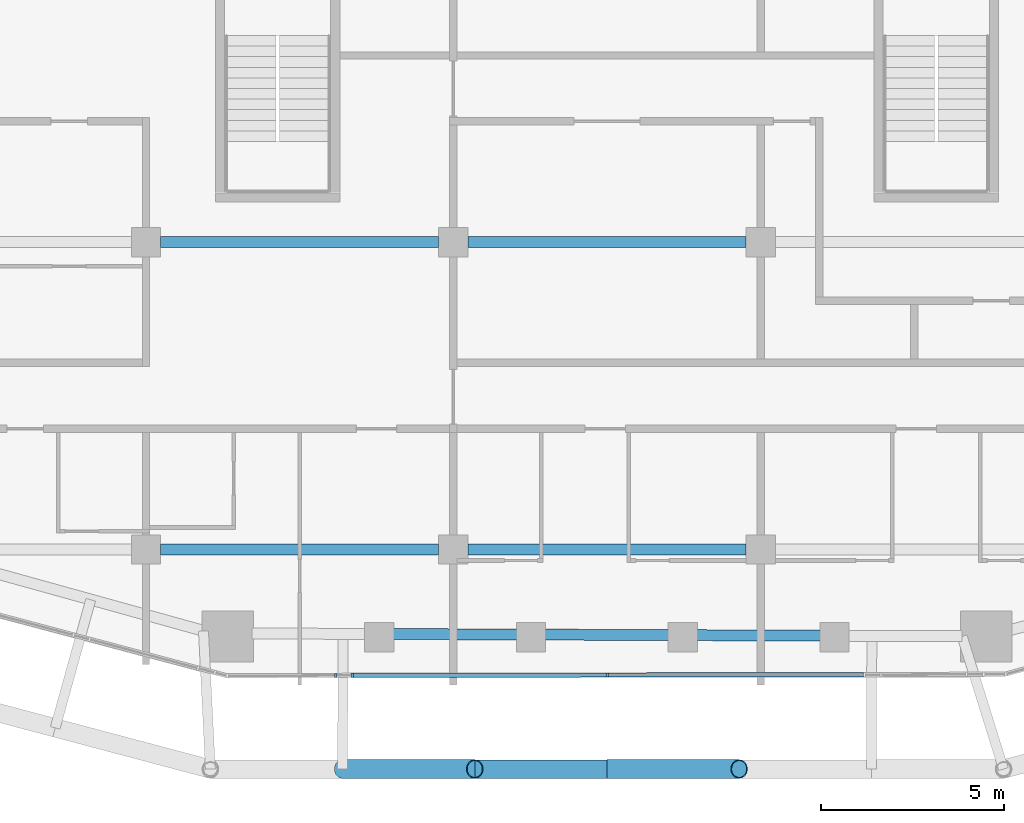
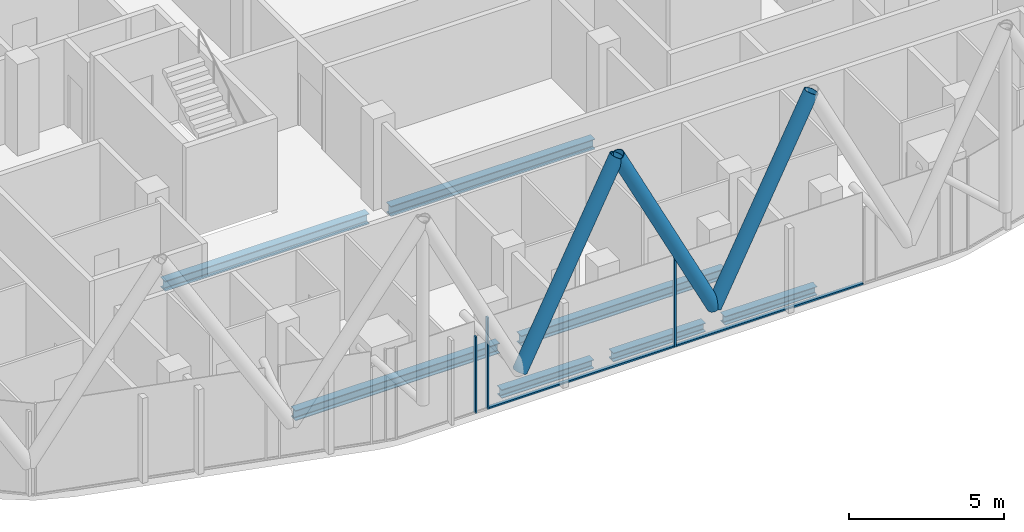
# One storey, part 3 of 31: 8 members, 7 beams, 2 elements without a shape of their own.
"""IFC4 building model written with IfcOpenShell, lengths in metres."""

import ifcopenshell
import ifcopenshell.guid

model = None  # the IFC model being written
_history = None  # IfcOwnerHistory: only IFC2X3 demands one
_inside = {}  # id of a spatial element -> (the spatial element, [elements in it])
_under = {}  # id of a project, library or spatial element -> (it, [spatial elements below it])
_declared = {}  # id of a project -> (the project, [libraries it declares])
_typed = {}  # id of a type object -> (the type object, [elements of that type])
_made_of = {}  # id of a material, layer set ... -> (it, [elements and type objects made of it])


def new_model(schema):
    """Start an empty IFC model of exactly this schema.

    Asked for "IFC4X3", IfcOpenShell would pick the latest addendum, in which some entities
    have other attributes; the version numbers below select the first issue.
    IFC2X3 requires an IfcOwnerHistory on every rooted entity: one is made here for all.
    """
    global model, _history
    if schema == "IFC4X3":
        model = ifcopenshell.file(schema_version=(4, 3, 0, 0))
    else:
        model = ifcopenshell.file(schema=schema)
    _inside.clear()
    _under.clear()
    _declared.clear()
    _typed.clear()
    _made_of.clear()
    _history = None
    if model.schema == "IFC2X3":
        org = make("IfcOrganization", Name="unknown")
        user = make(
            "IfcPersonAndOrganization",
            ThePerson=make("IfcPerson", FamilyName="unknown"),
            TheOrganization=org,
        )
        app = make(
            "IfcApplication",
            ApplicationDeveloper=org,
            Version="unknown",
            ApplicationFullName="unknown",
            ApplicationIdentifier="unknown",
        )
        _history = make(
            "IfcOwnerHistory",
            OwningUser=user,
            OwningApplication=app,
            ChangeAction="ADDED",
            CreationDate=0,
        )
    return model


def make(cls, **values):
    """One entity of the class cls with the attributes given. An attribute that is None is left unset."""
    return model.create_entity(
        cls, **{name: value for name, value in values.items() if value is not None}
    )


def rooted(cls, **values):
    """An entity with a GlobalId (a new one), such as an element, a storey or a relation."""
    return make(cls, GlobalId=ifcopenshell.guid.new(), OwnerHistory=_history, **values)


def si_unit(unit_type, name, prefix=None):
    """IfcSIUnit, for example si_unit("LENGTHUNIT", "METRE", prefix="MILLI")."""
    return make("IfcSIUnit", UnitType=unit_type, Prefix=prefix, Name=name)


def assignment(units):
    """IfcUnitAssignment: the units of a project."""
    return None if units is None else make("IfcUnitAssignment", Units=units)


def point(xyz):
    """IfcCartesianPoint."""
    return None if xyz is None else make("IfcCartesianPoint", Coordinates=xyz)


def direction(xyz):
    """IfcDirection."""
    return None if xyz is None else make("IfcDirection", DirectionRatios=xyz)


def frame(location, z_axis=None, x_axis=None):
    """IfcAxis2Placement3D, a coordinate frame: its origin and axes. An axis left out is left unset."""
    return make(
        "IfcAxis2Placement3D",
        Location=point(location),
        Axis=direction(z_axis),
        RefDirection=direction(x_axis),
    )


def frame_2d(location, x_axis=None):
    """IfcAxis2Placement2D, a coordinate frame in the plane: its origin and x axis."""
    return make(
        "IfcAxis2Placement2D", Location=point(location), RefDirection=direction(x_axis)
    )


def origin():
    """The frame at (0, 0, 0) with its axes left unset."""
    return frame((0.0, 0.0, 0.0))


def origin_2d():
    """The frame at (0, 0) in the plane with its x axis left unset."""
    return frame_2d((0.0, 0.0))


def place(relative_to, where):
    """IfcLocalPlacement: puts the frame where relative to a parent placement (None: the world)."""
    return make(
        "IfcLocalPlacement", PlacementRelTo=relative_to, RelativePlacement=where
    )


def context(
    kind, dimensions, precision=None, world=None, true_north=None, identifier=None
):
    """IfcGeometricRepresentationContext, for example the 3D "Model" context."""
    return make(
        "IfcGeometricRepresentationContext",
        ContextIdentifier=identifier,
        ContextType=kind,
        CoordinateSpaceDimension=dimensions,
        Precision=precision,
        WorldCoordinateSystem=world,
        TrueNorth=true_north,
    )


def subcontext(parent, identifier, kind, view, scale=None):
    """IfcGeometricRepresentationSubContext, for example "Body" below "Model"."""
    return make(
        "IfcGeometricRepresentationSubContext",
        ContextIdentifier=identifier,
        ContextType=kind,
        ParentContext=parent,
        TargetScale=scale,
        TargetView=view,
    )


def project(units=None, contexts=None):
    """IfcProject with its units and contexts."""
    return rooted(
        "IfcProject",
        Name="project",
        RepresentationContexts=contexts,
        UnitsInContext=assignment(units),
    )


def spatial(cls, under=None, at=None, **own):
    """A site, building, storey or space (cls), placed at a placement, below another one or the project."""
    s = rooted(cls, ObjectPlacement=at, **own)
    if under is not None:
        _under.setdefault(under.id(), (under, []))[1].append(s)
    return s


def profile(cls, at=None, kind="AREA", **sizes):
    """A parametric profile (cls). Its sizes go by their IFC names, for example OverallWidth=200.0."""
    return make(cls, ProfileType=kind, Position=at, **sizes)


def rectangle(**sizes):
    """IfcRectangleProfileDef."""
    return profile("IfcRectangleProfileDef", **sizes)


def hollow_circle(**sizes):
    """IfcCircleHollowProfileDef."""
    return profile("IfcCircleHollowProfileDef", **sizes)


def i_section(**sizes):
    """IfcIShapeProfileDef."""
    return profile("IfcIShapeProfileDef", **sizes)


def extrude(swept, where, along, depth):
    """IfcExtrudedAreaSolid: the profile swept, set in the frame where, extruded along a direction by depth."""
    return make(
        "IfcExtrudedAreaSolid",
        SweptArea=swept,
        Position=where,
        ExtrudedDirection=direction(along),
        Depth=depth,
    )


def shape(context_of_items, identifier, shape_type, items):
    """IfcShapeRepresentation: the items that make up one representation, for example the "Body"."""
    return make(
        "IfcShapeRepresentation",
        ContextOfItems=context_of_items,
        RepresentationIdentifier=identifier,
        RepresentationType=shape_type,
        Items=items,
    )


def material(Name=None, Category=None):
    """IfcMaterial."""
    return make("IfcMaterial", Name=Name, Category=Category)


def layer(
    of_material, thickness, ventilated=None, Name=None, Category=None, Priority=None
):
    """IfcMaterialLayer: one layer of a wall or slab, of a material (None: an air gap)."""
    return make(
        "IfcMaterialLayer",
        Material=of_material,
        LayerThickness=thickness,
        IsVentilated=ventilated,
        Name=Name,
        Category=Category,
        Priority=Priority,
    )


def layer_set(layers, Name=None):
    """IfcMaterialLayerSet."""
    return make("IfcMaterialLayerSet", MaterialLayers=layers, LayerSetName=Name)


def material_profile(
    of_material, cross_section, Name=None, Category=None, Priority=None
):
    """IfcMaterialProfile: a cross section and its material."""
    return make(
        "IfcMaterialProfile",
        Name=Name,
        Material=of_material,
        Profile=cross_section,
        Priority=Priority,
        Category=Category,
    )


def profile_set(profiles, Name=None, composite=None):
    """IfcMaterialProfileSet."""
    return make(
        "IfcMaterialProfileSet",
        Name=Name,
        MaterialProfiles=profiles,
        CompositeProfile=composite,
    )


def made_of(thing, what):
    """Note that an element or type object is made of a material, layer set ...; save() writes the relation."""
    if what is not None:
        _made_of.setdefault(what.id(), (what, []))[1].append(thing)
    return thing


def type_object(cls, material=None, **own):
    """A type object (cls), such as IfcWallType, which elements share."""
    return made_of(rooted(cls, **own), material)


def element(
    cls,
    number,
    at=None,
    inside=None,
    cuts=None,
    type_object=None,
    material=None,
    context=None,
    identifier="Body",
    shape_type=None,
    held_by="IfcProductDefinitionShape",
    body=None,
    shapes=None,
    **own,
):
    """One element of the class cls, such as IfcWall. Its Tag is "e" and its number.

    at: its placement. inside: the storey or other place that contains it. cuts: it is an
    opening in that element (IfcRelVoidsElement). A single representation is given by context,
    identifier, shape_type and body (its items); several are given by shapes. held_by: the class
    of the entity that holds the representations. save() writes the other relations.
    """
    e = rooted(cls, Tag="e%d" % number, ObjectPlacement=at, **own)
    if body is not None:
        shapes = [shape(context, identifier, shape_type, body)]
    if shapes is not None:
        e.Representation = make(held_by, Representations=shapes)
    if inside is not None:
        _inside.setdefault(inside.id(), (inside, []))[1].append(e)
    if cuts is not None:
        rooted(
            "IfcRelVoidsElement", RelatingBuildingElement=cuts, RelatedOpeningElement=e
        )
    if type_object is not None:
        _typed.setdefault(type_object.id(), (type_object, []))[1].append(e)
    return made_of(e, material)


def aggregate(whole, parts):
    """IfcRelAggregates: a whole, such as a stair, and the parts it consists of."""
    return rooted("IfcRelAggregates", RelatingObject=whole, RelatedObjects=parts)


def save(model, path):
    """Write the relations noted so far, then the file.

    IfcRelAggregates (storeys below a building ...), IfcRelContainedInSpatialStructure (elements
    in a storey), IfcRelDefinesByType, IfcRelAssociatesMaterial and IfcRelDeclares: one each for
    every whole, place, type object, material and project.
    """
    for whole, parts in _under.values():
        aggregate(whole, parts)
    for where, things in _inside.values():
        rooted(
            "IfcRelContainedInSpatialStructure",
            RelatedElements=things,
            RelatingStructure=where,
        )
    for kind, things in _typed.values():
        rooted("IfcRelDefinesByType", RelatedObjects=things, RelatingType=kind)
    for what, things in _made_of.values():
        rooted("IfcRelAssociatesMaterial", RelatedObjects=things, RelatingMaterial=what)
    for by, libraries in _declared.values():
        rooted("IfcRelDeclares", RelatingContext=by, RelatedDefinitions=libraries)
    model.write(path)


model = new_model("IFC4")

# Units and contexts
model_context = context("Model", 3, precision=1e-05, world=origin(), true_north=direction((0.0, 1.0)))
body_context = subcontext(model_context, "Body", "Model", "MODEL_VIEW")
ifc_project = project(units=[si_unit("LENGTHUNIT", "METRE"), si_unit("AREAUNIT", "SQUARE_METRE"), si_unit("VOLUMEUNIT", "CUBIC_METRE"), si_unit("PLANEANGLEUNIT", "RADIAN"), si_unit("MASSUNIT", "GRAM", prefix="KILO")], contexts=[model_context])

# Site, building, storey
site_placement = place(None, origin())
site = spatial("IfcSite", under=ifc_project, at=site_placement, CompositionType="ELEMENT")
building_placement = place(site_placement, origin())
building = spatial("IfcBuilding", under=site, at=building_placement, Name="Marenta Gate Hotel Tower", CompositionType="ELEMENT")
storey_placement = place(building_placement, frame((0.0, 0.0, 205.699951171875)))
storey = spatial("IfcBuildingStorey", under=building, at=storey_placement, Name="L47", CompositionType="ELEMENT", Elevation=205.699951171875)

# Members
ifc_material_1 = material(Name="Steel S355J2W", Category="steel")
ifc_material_profile_1 = material_profile(ifc_material_1, hollow_circle(Radius=0.25390625, WallThickness=0.02490234375, at=origin_2d()), Name="CHS 508x25")
ifc_profile_set_1 = profile_set([ifc_material_profile_1], Name="Steel S355J2W")
member_type_1 = type_object("IfcMemberType", Name="Diagrid diagonal Z3 CHS 508x25", PredefinedType="BRACE", material=ifc_profile_set_1)
for number, where, z_axis, x_axis, name in (
    (1, (0.0, -31.199951171875, 3.14013671875), (0.44851025603, 0.0, 0.893777685018), (0.0, 1.0, 0.0), "L47-DG-17"),
    (2, (0.0, -31.199951171875, 3.14013671875), (-0.44851025603, 0.0, 0.893777685018), (0.0, -1.0, 0.0), "L47-DG-18"),
    (3, (-7.22607421875, -31.199951171875, 3.14013671875), (0.44851025603, 0.0, 0.893777685018), (0.0, 1.0, 0.0), "L47-DG-19"),
):
    element("IfcMember", number, at=place(storey_placement, frame(where, z_axis=z_axis, x_axis=x_axis)), inside=storey, type_object=member_type_1, Name=name, PredefinedType="BRACE", context=body_context, shape_type="SweptSolid", body=[
        extrude(hollow_circle(Radius=0.25390625, WallThickness=0.02490234375, at=origin_2d()), origin(), (0.0, 0.0, 1.0), 8.0556640625),
    ])

# Beams
ifc_material_2 = material(Name="Steel S355", Category="steel")
ifc_material_profile_2 = material_profile(ifc_material_2, i_section(OverallWidth=0.300048828125, OverallDepth=0.340087890625, WebThickness=0.011962890625, FlangeThickness=0.021484375, FilletRadius=0.027099609375, at=origin_2d()), Name="HEB 340")
ifc_profile_set_2 = profile_set([ifc_material_profile_2], Name="Steel S355")
beam_type_1 = type_object("IfcBeamType", Name="Edge beam HEB 340", PredefinedType="SPANDREL", material=ifc_profile_set_2)
for number, where, z_axis, x_axis, name in (
    (4, (5.860107421875, -27.555419921875, -0.429931640625), (-0.999992599416, 0.003847221457, 0.0), (-0.003847221457, -0.999992599416, 0.0), "L47-EB-33"),
    (5, (1.71337890625, -27.539306640625, -0.429931640625), (-0.999992599416, 0.003847221457, 0.0), (-0.003847221457, -0.999992599416, 0.0), "L47-EB-34"),
    (6, (-2.433349609375, -27.5234375, -0.429931640625), (-0.999992599416, 0.003847221457, 0.0), (-0.003847221457, -0.999992599416, 0.0), "L47-EB-35"),
):
    element("IfcBeam", number, at=place(storey_placement, frame(where, z_axis=z_axis, x_axis=x_axis)), inside=storey, type_object=beam_type_1, Name=name, PredefinedType="SPANDREL", context=body_context, shape_type="SweptSolid", body=[
        extrude(i_section(OverallWidth=0.300048828125, OverallDepth=0.340087890625, WebThickness=0.011962890625, FlangeThickness=0.021484375, FilletRadius=0.027099609375, at=origin_2d()), origin(), (0.0, 0.0, 1.0), 3.4267578125),
    ])
ifc_material_3 = material(Name="Steel S355", Category="steel")
ifc_material_profile_3 = material_profile(ifc_material_3, i_section(OverallWidth=0.300048828125, OverallDepth=0.39990234375, WebThickness=0.013427734375, FlangeThickness=0.02392578125, FilletRadius=0.027099609375, at=origin_2d()), Name="HEB 400")
ifc_profile_set_3 = profile_set([ifc_material_profile_3], Name="Steel S355")
beam_type_2 = type_object("IfcBeamType", Name="Girder HEB 400", PredefinedType="BEAM", material=ifc_profile_set_3)
beam_1_placement = place(storey_placement, frame((-12.199951171875, -25.199951171875, -0.4599609375), z_axis=(1.0, 0.0, 0.0), x_axis=(0.0, 1.0, 0.0)))
element("IfcBeam", 7, at=beam_1_placement, inside=storey, type_object=beam_type_2, Name="L47-GD-2", PredefinedType="BEAM", context=body_context, shape_type="SweptSolid", body=[
    extrude(i_section(OverallWidth=0.300048828125, OverallDepth=0.39990234375, WebThickness=0.013427734375, FlangeThickness=0.02392578125, FilletRadius=0.027099609375, at=origin_2d()), origin(), (0.0, 0.0, 1.0), 7.599853515625),
])
beam_2_placement = place(storey_placement, frame((-3.800048828125, -25.199951171875, -0.4599609375), z_axis=(1.0, 0.0, 0.0), x_axis=(0.0, 1.0, 0.0)))
element("IfcBeam", 8, at=beam_2_placement, inside=storey, type_object=beam_type_2, Name="L47-GD-3", PredefinedType="BEAM", context=body_context, shape_type="SweptSolid", body=[
    extrude(i_section(OverallWidth=0.300048828125, OverallDepth=0.39990234375, WebThickness=0.013427734375, FlangeThickness=0.02392578125, FilletRadius=0.027099609375, at=origin_2d()), origin(), (0.0, 0.0, 1.0), 7.60009765625),
])
beam_3_placement = place(storey_placement, frame((-12.199951171875, -16.800048828125, -0.4599609375), z_axis=(1.0, 0.0, 0.0), x_axis=(0.0, 1.0, 0.0)))
element("IfcBeam", 9, at=beam_3_placement, inside=storey, type_object=beam_type_2, Name="L47-GD-8", PredefinedType="BEAM", context=body_context, shape_type="SweptSolid", body=[
    extrude(i_section(OverallWidth=0.300048828125, OverallDepth=0.39990234375, WebThickness=0.013427734375, FlangeThickness=0.02392578125, FilletRadius=0.027099609375, at=origin_2d()), origin(), (0.0, 0.0, 1.0), 7.599853515625),
])
beam_4_placement = place(storey_placement, frame((-3.800048828125, -16.800048828125, -0.4599609375), z_axis=(1.0, 0.0, 0.0), x_axis=(0.0, 1.0, 0.0)))
element("IfcBeam", 10, at=beam_4_placement, inside=storey, type_object=beam_type_2, Name="L47-GD-9", PredefinedType="BEAM", context=body_context, shape_type="SweptSolid", body=[
    extrude(i_section(OverallWidth=0.300048828125, OverallDepth=0.39990234375, WebThickness=0.013427734375, FlangeThickness=0.02392578125, FilletRadius=0.027099609375, at=origin_2d()), origin(), (0.0, 0.0, 1.0), 7.60009765625),
])

# Curtain wall, member
ifc_material_4 = material(Name="Tinted insulated glass in bronze anodised frame", Category="glass")
ifc_layer = layer(ifc_material_4, 0.1201171875)
ifc_layer_set = layer_set([ifc_layer], Name="Tinted insulated glass in bronze anodised frame")
curtain_wall_type = type_object("IfcCurtainWallType", Name="Tower unitised curtain wall CW1", PredefinedType="NOTDEFINED", material=ifc_layer_set)
curtain_wall_1_placement = place(storey_placement, origin())
curtain_wall_1 = element("IfcCurtainWall", 11, at=curtain_wall_1_placement, inside=storey, type_object=curtain_wall_type, Name="CW1 run G20", PredefinedType="NOTDEFINED")
ifc_material_5 = material(Name="Bronze anodised aluminium", Category="aluminium")
ifc_material_profile_4 = material_profile(ifc_material_5, rectangle(XDim=0.1201171875, YDim=0.06005859375, at=origin_2d()), Name="Mullion CW1 60x120 bronze anodised aluminium")
ifc_profile_set_4 = profile_set([ifc_material_profile_4], Name="Bronze anodised aluminium")
member_type_2 = type_object("IfcMemberType", Name="Mullion CW1 60x120 bronze anodised aluminium", PredefinedType="MULLION", material=ifc_profile_set_4)
member_1_placement = place(storey_placement, frame((-7.41259765625, -28.642578125, 0.0), z_axis=(0.0, 0.0, 1.0), x_axis=(-0.001766001654, 0.999998440618, 0.0)))
member_1 = element("IfcMember", 12, at=member_1_placement, type_object=member_type_2, Name="CW1 mullion 1", PredefinedType="MULLION", context=body_context, shape_type="SweptSolid", body=[
    extrude(rectangle(XDim=0.1201171875, YDim=0.06005859375, at=origin_2d()), origin(), (0.0, 0.0, 1.0), 3.00048828125),
])
aggregate(curtain_wall_1, [member_1])

# Curtain wall, members
curtain_wall_2_placement = place(storey_placement, origin())
curtain_wall_2 = element("IfcCurtainWall", 13, at=curtain_wall_2_placement, inside=storey, type_object=curtain_wall_type, Name="CW1 run G21", PredefinedType="NOTDEFINED")
member_2_placement = place(storey_placement, frame((-6.959716796875, -28.641845703125, 0.0), z_axis=(0.0, 0.0, 1.0), x_axis=(-0.001635817263, 0.99999866205, 0.0)))
member_2 = element("IfcMember", 14, at=member_2_placement, type_object=member_type_2, Name="CW1 mullion 1", PredefinedType="MULLION", context=body_context, shape_type="SweptSolid", body=[
    extrude(rectangle(XDim=0.1201171875, YDim=0.06005859375, at=origin_2d()), origin(), (0.0, 0.0, 1.0), 3.60009765625),
])
member_3_placement = place(storey_placement, frame((0.009765625, -28.63037109375, 0.0), z_axis=(0.0, 0.0, 1.0), x_axis=(-0.001635817263, 0.99999866205, 0.0)))
member_3 = element("IfcMember", 15, at=member_3_placement, type_object=member_type_2, Name="CW1 mullion 2", PredefinedType="MULLION", context=body_context, shape_type="SweptSolid", body=[
    extrude(rectangle(XDim=0.1201171875, YDim=0.06005859375, at=origin_2d()), origin(), (0.0, 0.0, 1.0), 3.60009765625),
])
ifc_material_6 = material(Name="Bronze anodised aluminium", Category="aluminium")
ifc_material_profile_5 = material_profile(ifc_material_6, rectangle(XDim=0.1201171875, YDim=0.06005859375, at=origin_2d()), Name="Transom CW1 60x120 bronze anodised aluminium")
ifc_profile_set_5 = profile_set([ifc_material_profile_5], Name="Bronze anodised aluminium")
member_type_3 = type_object("IfcMemberType", Name="Transom CW1 60x120 bronze anodised aluminium", PredefinedType="USERDEFINED", material=ifc_profile_set_5)
member_4_placement = place(storey_placement, frame((-6.9296875, -28.6416015625, 0.030029296875), z_axis=(0.999998679066, 0.001625382115, 0.0), x_axis=(-0.001625382115, 0.999998679066, 0.0)))
member_4 = element("IfcMember", 16, at=member_4_placement, type_object=member_type_3, Name="CW1 transom 1.1", ObjectType="TRANSOM", PredefinedType="USERDEFINED", context=body_context, shape_type="SweptSolid", body=[
    extrude(rectangle(XDim=0.1201171875, YDim=0.06005859375, at=origin_2d()), origin(), (0.0, 0.0, 1.0), 6.909423828125),
])
member_5_placement = place(storey_placement, frame((0.039794921875, -28.63037109375, 0.030029296875), z_axis=(0.999998644769, 0.001646347776, 0.0), x_axis=(-0.001646347776, 0.999998644769, 0.0)))
member_5 = element("IfcMember", 17, at=member_5_placement, type_object=member_type_3, Name="CW1 transom 2.1", ObjectType="TRANSOM", PredefinedType="USERDEFINED", context=body_context, shape_type="SweptSolid", body=[
    extrude(rectangle(XDim=0.1201171875, YDim=0.06005859375, at=origin_2d()), origin(), (0.0, 0.0, 1.0), 6.9697265625),
])
aggregate(curtain_wall_2, [member_2, member_3, member_4, member_5])

save(model, "model.ifc")
